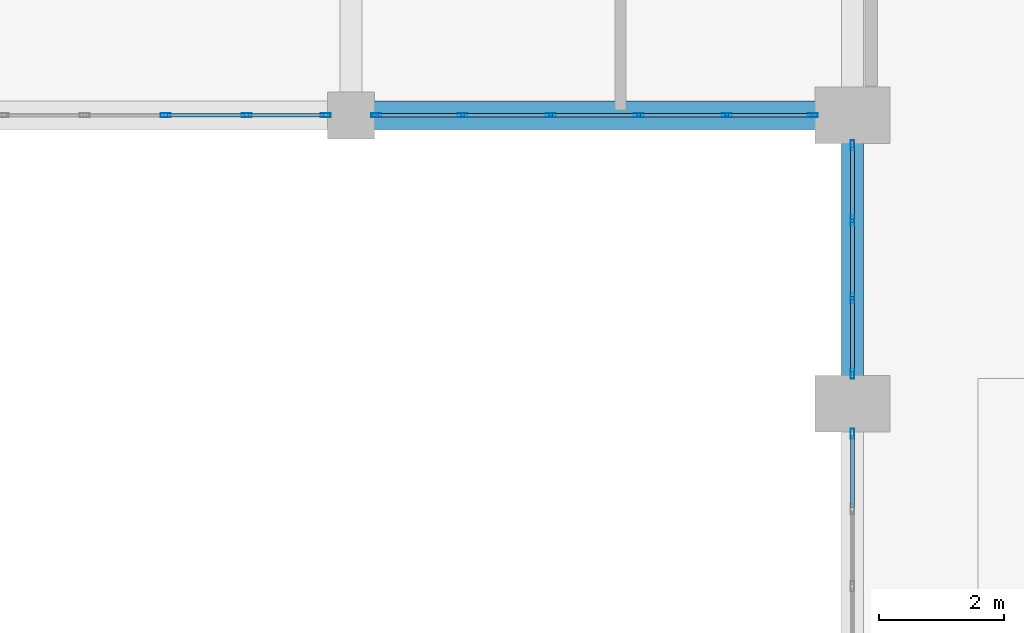
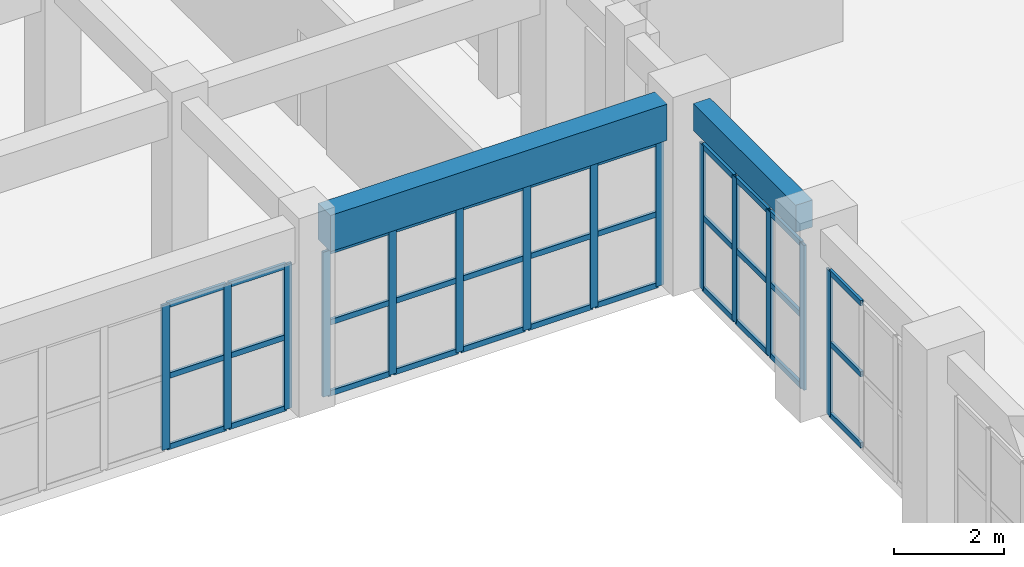
# One storey, part 32 of 116: 47 members, 2 beams, 4 elements without a shape of their own.
"""IFC4 building model written with IfcOpenShell, lengths in metres."""

from ifc_helpers import new_model, si_unit, direction, frame, origin, origin_2d, place, context, subcontext, project, spatial, rectangle, hollow_rectangle, extrude, material, layer, layer_set, material_profile, profile_set, type_object, element, aggregate, save


model = new_model("IFC4")

# Units and contexts
model_context = context("Model", 3, precision=1e-05, world=origin(), true_north=direction((0.0, 1.0)))
body_context = subcontext(model_context, "Body", "Model", "MODEL_VIEW")
ifc_project = project(units=[si_unit("LENGTHUNIT", "METRE"), si_unit("AREAUNIT", "SQUARE_METRE"), si_unit("VOLUMEUNIT", "CUBIC_METRE"), si_unit("PLANEANGLEUNIT", "RADIAN"), si_unit("MASSUNIT", "GRAM", prefix="KILO")], contexts=[model_context])

# Site, building, storey
site_placement = place(None, origin())
site = spatial("IfcSite", under=ifc_project, at=site_placement, CompositionType="ELEMENT")
building_placement = place(site_placement, origin())
building = spatial("IfcBuilding", under=site, at=building_placement, Name="Muzn Square Opera House", CompositionType="ELEMENT")
storey_placement = place(building_placement, frame((0.0, 0.0, 5.39990234375)))
storey = spatial("IfcBuildingStorey", under=building, at=storey_placement, Name="L01", CompositionType="ELEMENT", Elevation=5.39990234375)

# Curtain wall, member
ifc_material_1 = material(Name="Low-E laminated acoustic double glazing", Category="glass")
ifc_layer_1 = layer(ifc_material_1, 0.159912109375, Name="Low-E laminated acoustic double glazing", Category="glass")
ifc_layer_set_1 = layer_set([ifc_layer_1], Name="Low-E laminated acoustic double glazing")
curtain_wall_type_1 = type_object("IfcCurtainWallType", Name="Glazed Curtain Wall WestVaultCourt 3700x3200", PredefinedType="USERDEFINED", material=ifc_layer_set_1)
curtain_wall_1_placement = place(storey_placement, origin())
curtain_wall_1 = element("IfcCurtainWall", 1, at=curtain_wall_1_placement, inside=storey, type_object=curtain_wall_type_1, Name="Glazed Curtain Wall CW-L01-045", ObjectType="GLAZED CURTAIN WALL", PredefinedType="USERDEFINED")
ifc_material_2 = material(Name="Anodised bronze aluminium 6063-T6", Category="metal")
ifc_material_profile_1 = material_profile(ifc_material_2, hollow_rectangle(XDim=0.06005859375, YDim=0.159912109375, WallThickness=0.00390625, at=origin_2d()), Name="ALU 160x60x4", Category="metal")
ifc_profile_set_1 = profile_set([ifc_material_profile_1], Name="Anodised bronze aluminium 6063-T6")
member_type_1 = type_object("IfcMemberType", Name="Curtain Wall Mullion 160x60", PredefinedType="MULLION", material=ifc_profile_set_1)
member_1_placement = place(storey_placement, frame((43.0, 49.1201171875, 0.0), z_axis=(0.0, 0.0, 1.0), x_axis=(-1.0, 0.0, 0.0)))
member_1 = element("IfcMember", 2, at=member_1_placement, type_object=member_type_1, Name="CW-WVC-37x32 mullion 4", PredefinedType="MULLION", context=body_context, shape_type="SweptSolid", body=[
    extrude(hollow_rectangle(XDim=0.06005859375, YDim=0.159912109375, WallThickness=0.00390625, at=origin_2d()), origin(), (0.0, 0.0, 1.0), 3.2001953125),
])

# Curtain wall, members
curtain_wall_2_placement = place(storey_placement, origin())
curtain_wall_2 = element("IfcCurtainWall", 3, at=curtain_wall_2_placement, inside=storey, type_object=curtain_wall_type_1, Name="Glazed Curtain Wall CW-L01-047", ObjectType="GLAZED CURTAIN WALL", PredefinedType="USERDEFINED")
member_2_placement = place(storey_placement, frame((43.0, 50.080078125, 0.0), z_axis=(0.0, 0.0, 1.0), x_axis=(-1.0, 0.0, 0.0)))
member_2 = element("IfcMember", 4, at=member_2_placement, type_object=member_type_1, Name="CW-WVC-37x32 mullion 1", PredefinedType="MULLION", context=body_context, shape_type="SweptSolid", body=[
    extrude(hollow_rectangle(XDim=0.06005859375, YDim=0.159912109375, WallThickness=0.00390625, at=origin_2d()), origin(), (0.0, 0.0, 1.0), 3.2001953125),
])
member_3_placement = place(storey_placement, frame((43.0, 51.283447265625, 0.0), z_axis=(0.0, 0.0, 1.0), x_axis=(-1.0, 0.0, 0.0)))
member_3 = element("IfcMember", 5, at=member_3_placement, type_object=member_type_1, Name="CW-WVC-37x32 mullion 2", PredefinedType="MULLION", context=body_context, shape_type="SweptSolid", body=[
    extrude(hollow_rectangle(XDim=0.06005859375, YDim=0.159912109375, WallThickness=0.00390625, at=origin_2d()), origin(), (0.0, 0.0, 1.0), 3.2001953125),
])
member_4_placement = place(storey_placement, frame((43.0, 52.5166015625, 0.0), z_axis=(0.0, 0.0, 1.0), x_axis=(-1.0, 0.0, 0.0)))
member_4 = element("IfcMember", 6, at=member_4_placement, type_object=member_type_1, Name="CW-WVC-37x32 mullion 3", PredefinedType="MULLION", context=body_context, shape_type="SweptSolid", body=[
    extrude(hollow_rectangle(XDim=0.06005859375, YDim=0.159912109375, WallThickness=0.00390625, at=origin_2d()), origin(), (0.0, 0.0, 1.0), 3.2001953125),
])
member_5_placement = place(storey_placement, frame((43.0, 53.719970703125, 0.0), z_axis=(0.0, 0.0, 1.0), x_axis=(-1.0, 0.0, 0.0)))
member_5 = element("IfcMember", 7, at=member_5_placement, type_object=member_type_1, Name="CW-WVC-37x32 mullion 4", PredefinedType="MULLION", context=body_context, shape_type="SweptSolid", body=[
    extrude(hollow_rectangle(XDim=0.06005859375, YDim=0.159912109375, WallThickness=0.00390625, at=origin_2d()), origin(), (0.0, 0.0, 1.0), 3.2001953125),
])

ifc_layer_2 = layer(ifc_material_1, 0.159912109375, Name="Low-E laminated acoustic double glazing", Category="glass")
ifc_layer_set_2 = layer_set([ifc_layer_2], Name="Low-E laminated acoustic double glazing")
curtain_wall_type_2 = type_object("IfcCurtainWallType", Name="Glazed Curtain Wall WestCloisterN 7750x3200", PredefinedType="USERDEFINED", material=ifc_layer_set_2)
curtain_wall_3_placement = place(storey_placement, origin())
curtain_wall_3 = element("IfcCurtainWall", 8, at=curtain_wall_3_placement, inside=storey, type_object=curtain_wall_type_2, Name="Glazed Curtain Wall CW-L01-084", ObjectType="GLAZED CURTAIN WALL", PredefinedType="USERDEFINED")
member_6_placement = place(storey_placement, frame((32.041748046875, 54.199951171875, 0.0), z_axis=(0.0, 0.0, 1.0), x_axis=(0.0, 1.0, 0.0)))
member_6 = element("IfcMember", 9, at=member_6_placement, type_object=member_type_1, Name="CW-WCN-77x32 mullion 5", PredefinedType="MULLION", context=body_context, shape_type="SweptSolid", body=[
    extrude(hollow_rectangle(XDim=0.06005859375, YDim=0.159912109375, WallThickness=0.00390625, at=origin_2d()), origin(), (0.0, 0.0, 1.0), 3.2001953125),
])
member_7_placement = place(storey_placement, frame((33.333251953125, 54.199951171875, 0.0), z_axis=(0.0, 0.0, 1.0), x_axis=(0.0, 1.0, 0.0)))
member_7 = element("IfcMember", 10, at=member_7_placement, type_object=member_type_1, Name="CW-WCN-77x32 mullion 6", PredefinedType="MULLION", context=body_context, shape_type="SweptSolid", body=[
    extrude(hollow_rectangle(XDim=0.06005859375, YDim=0.159912109375, WallThickness=0.00390625, at=origin_2d()), origin(), (0.0, 0.0, 1.0), 3.2001953125),
])
member_8_placement = place(storey_placement, frame((34.594970703125, 54.199951171875, 0.0), z_axis=(0.0, 0.0, 1.0), x_axis=(0.0, 1.0, 0.0)))
member_8 = element("IfcMember", 11, at=member_8_placement, type_object=member_type_1, Name="CW-WCN-77x32 mullion 7", PredefinedType="MULLION", context=body_context, shape_type="SweptSolid", body=[
    extrude(hollow_rectangle(XDim=0.06005859375, YDim=0.159912109375, WallThickness=0.00390625, at=origin_2d()), origin(), (0.0, 0.0, 1.0), 3.2001953125),
])

ifc_layer_3 = layer(ifc_material_1, 0.159912109375, Name="Low-E laminated acoustic double glazing", Category="glass")
ifc_layer_set_3 = layer_set([ifc_layer_3], Name="Low-E laminated acoustic double glazing")
curtain_wall_type_3 = type_object("IfcCurtainWallType", Name="Glazed Curtain Wall WestCloisterN 7025x3200", PredefinedType="USERDEFINED", material=ifc_layer_set_3)
curtain_wall_4_placement = place(storey_placement, origin())
curtain_wall_4 = element("IfcCurtainWall", 12, at=curtain_wall_4_placement, inside=storey, type_object=curtain_wall_type_3, Name="Glazed Curtain Wall CW-L01-086", ObjectType="GLAZED CURTAIN WALL", PredefinedType="USERDEFINED")
member_9_placement = place(storey_placement, frame((35.405029296875, 54.199951171875, 0.0), z_axis=(0.0, 0.0, 1.0), x_axis=(0.0, 1.0, 0.0)))
member_9 = element("IfcMember", 13, at=member_9_placement, type_object=member_type_1, Name="CW-WCN-70x32 mullion 1", PredefinedType="MULLION", context=body_context, shape_type="SweptSolid", body=[
    extrude(hollow_rectangle(XDim=0.06005859375, YDim=0.159912109375, WallThickness=0.00390625, at=origin_2d()), origin(), (0.0, 0.0, 1.0), 3.2001953125),
])
member_10_placement = place(storey_placement, frame((36.780029296875, 54.199951171875, 0.0), z_axis=(0.0, 0.0, 1.0), x_axis=(0.0, 1.0, 0.0)))
member_10 = element("IfcMember", 14, at=member_10_placement, type_object=member_type_1, Name="CW-WCN-70x32 mullion 2", PredefinedType="MULLION", context=body_context, shape_type="SweptSolid", body=[
    extrude(hollow_rectangle(XDim=0.06005859375, YDim=0.159912109375, WallThickness=0.00390625, at=origin_2d()), origin(), (0.0, 0.0, 1.0), 3.2001953125),
])
member_11_placement = place(storey_placement, frame((38.18505859375, 54.199951171875, 0.0), z_axis=(0.0, 0.0, 1.0), x_axis=(0.0, 1.0, 0.0)))
member_11 = element("IfcMember", 15, at=member_11_placement, type_object=member_type_1, Name="CW-WCN-70x32 mullion 3", PredefinedType="MULLION", context=body_context, shape_type="SweptSolid", body=[
    extrude(hollow_rectangle(XDim=0.06005859375, YDim=0.159912109375, WallThickness=0.00390625, at=origin_2d()), origin(), (0.0, 0.0, 1.0), 3.2001953125),
])
member_12_placement = place(storey_placement, frame((39.590087890625, 54.199951171875, 0.0), z_axis=(0.0, 0.0, 1.0), x_axis=(0.0, 1.0, 0.0)))
member_12 = element("IfcMember", 16, at=member_12_placement, type_object=member_type_1, Name="CW-WCN-70x32 mullion 4", PredefinedType="MULLION", context=body_context, shape_type="SweptSolid", body=[
    extrude(hollow_rectangle(XDim=0.06005859375, YDim=0.159912109375, WallThickness=0.00390625, at=origin_2d()), origin(), (0.0, 0.0, 1.0), 3.2001953125),
])
member_13_placement = place(storey_placement, frame((40.9951171875, 54.199951171875, 0.0), z_axis=(0.0, 0.0, 1.0), x_axis=(0.0, 1.0, 0.0)))
member_13 = element("IfcMember", 17, at=member_13_placement, type_object=member_type_1, Name="CW-WCN-70x32 mullion 5", PredefinedType="MULLION", context=body_context, shape_type="SweptSolid", body=[
    extrude(hollow_rectangle(XDim=0.06005859375, YDim=0.159912109375, WallThickness=0.00390625, at=origin_2d()), origin(), (0.0, 0.0, 1.0), 3.2001953125),
])
member_14_placement = place(storey_placement, frame((42.3701171875, 54.199951171875, 0.0), z_axis=(0.0, 0.0, 1.0), x_axis=(0.0, 1.0, 0.0)))
member_14 = element("IfcMember", 18, at=member_14_placement, type_object=member_type_1, Name="CW-WCN-70x32 mullion 6", PredefinedType="MULLION", context=body_context, shape_type="SweptSolid", body=[
    extrude(hollow_rectangle(XDim=0.06005859375, YDim=0.159912109375, WallThickness=0.00390625, at=origin_2d()), origin(), (0.0, 0.0, 1.0), 3.2001953125),
])

# Member
ifc_material_profile_2 = material_profile(ifc_material_2, hollow_rectangle(XDim=0.06005859375, YDim=0.1201171875, WallThickness=0.00390625, at=origin_2d()), Name="ALU 120x60x4", Category="metal")
ifc_profile_set_2 = profile_set([ifc_material_profile_2], Name="Anodised bronze aluminium 6063-T6")
member_type_2 = type_object("IfcMemberType", Name="Curtain Wall Transom 120x60", PredefinedType="USERDEFINED", material=ifc_profile_set_2)
member_15_placement = place(storey_placement, frame((43.0, 47.94677734375, 0.030029296875), z_axis=(0.0, 1.0, 0.0), x_axis=(-1.0, 0.0, 0.0)))
member_15 = element("IfcMember", 19, at=member_15_placement, type_object=member_type_2, Name="CW-WVC-37x32 transom 3.1", ObjectType="TRANSOM", PredefinedType="USERDEFINED", context=body_context, shape_type="SweptSolid", body=[
    extrude(hollow_rectangle(XDim=0.06005859375, YDim=0.1201171875, WallThickness=0.00390625, at=origin_2d()), origin(), (0.0, 0.0, 1.0), 1.143310546875),
])

member_16_placement = place(storey_placement, frame((43.0, 47.94677734375, 1.60009765625), z_axis=(0.0, 1.0, 0.0), x_axis=(-1.0, 0.0, 0.0)))
member_16 = element("IfcMember", 20, at=member_16_placement, type_object=member_type_2, Name="CW-WVC-37x32 transom 3.2", ObjectType="TRANSOM", PredefinedType="USERDEFINED", context=body_context, shape_type="SweptSolid", body=[
    extrude(hollow_rectangle(XDim=0.06005859375, YDim=0.1201171875, WallThickness=0.00390625, at=origin_2d()), origin(), (0.0, 0.0, 1.0), 1.143310546875),
])

member_17_placement = place(storey_placement, frame((43.0, 47.94677734375, 3.170166015625), z_axis=(0.0, 1.0, 0.0), x_axis=(-1.0, 0.0, 0.0)))
member_17 = element("IfcMember", 21, at=member_17_placement, type_object=member_type_2, Name="CW-WVC-37x32 transom 3.3", ObjectType="TRANSOM", PredefinedType="USERDEFINED", context=body_context, shape_type="SweptSolid", body=[
    extrude(hollow_rectangle(XDim=0.06005859375, YDim=0.1201171875, WallThickness=0.00390625, at=origin_2d()), origin(), (0.0, 0.0, 1.0), 1.143310546875),
])

aggregate(curtain_wall_1, [member_1, member_15, member_16, member_17])

member_18_placement = place(storey_placement, frame((43.0, 50.110107421875, 0.030029296875), z_axis=(0.0, 1.0, 0.0), x_axis=(-1.0, 0.0, 0.0)))
member_18 = element("IfcMember", 22, at=member_18_placement, type_object=member_type_2, Name="CW-WVC-37x32 transom 1.1", ObjectType="TRANSOM", PredefinedType="USERDEFINED", context=body_context, shape_type="SweptSolid", body=[
    extrude(hollow_rectangle(XDim=0.06005859375, YDim=0.1201171875, WallThickness=0.00390625, at=origin_2d()), origin(), (0.0, 0.0, 1.0), 1.143310546875),
])

member_19_placement = place(storey_placement, frame((43.0, 50.110107421875, 1.60009765625), z_axis=(0.0, 1.0, 0.0), x_axis=(-1.0, 0.0, 0.0)))
member_19 = element("IfcMember", 23, at=member_19_placement, type_object=member_type_2, Name="CW-WVC-37x32 transom 1.2", ObjectType="TRANSOM", PredefinedType="USERDEFINED", context=body_context, shape_type="SweptSolid", body=[
    extrude(hollow_rectangle(XDim=0.06005859375, YDim=0.1201171875, WallThickness=0.00390625, at=origin_2d()), origin(), (0.0, 0.0, 1.0), 1.143310546875),
])

member_20_placement = place(storey_placement, frame((43.0, 50.110107421875, 3.170166015625), z_axis=(0.0, 1.0, 0.0), x_axis=(-1.0, 0.0, 0.0)))
member_20 = element("IfcMember", 24, at=member_20_placement, type_object=member_type_2, Name="CW-WVC-37x32 transom 1.3", ObjectType="TRANSOM", PredefinedType="USERDEFINED", context=body_context, shape_type="SweptSolid", body=[
    extrude(hollow_rectangle(XDim=0.06005859375, YDim=0.1201171875, WallThickness=0.00390625, at=origin_2d()), origin(), (0.0, 0.0, 1.0), 1.143310546875),
])

member_21_placement = place(storey_placement, frame((43.0, 51.313232421875, 0.030029296875), z_axis=(0.0, 1.0, 0.0), x_axis=(-1.0, 0.0, 0.0)))
member_21 = element("IfcMember", 25, at=member_21_placement, type_object=member_type_2, Name="CW-WVC-37x32 transom 2.1", ObjectType="TRANSOM", PredefinedType="USERDEFINED", context=body_context, shape_type="SweptSolid", body=[
    extrude(hollow_rectangle(XDim=0.06005859375, YDim=0.1201171875, WallThickness=0.00390625, at=origin_2d()), origin(), (0.0, 0.0, 1.0), 1.17333984375),
])

member_22_placement = place(storey_placement, frame((43.0, 51.313232421875, 1.60009765625), z_axis=(0.0, 1.0, 0.0), x_axis=(-1.0, 0.0, 0.0)))
member_22 = element("IfcMember", 26, at=member_22_placement, type_object=member_type_2, Name="CW-WVC-37x32 transom 2.2", ObjectType="TRANSOM", PredefinedType="USERDEFINED", context=body_context, shape_type="SweptSolid", body=[
    extrude(hollow_rectangle(XDim=0.06005859375, YDim=0.1201171875, WallThickness=0.00390625, at=origin_2d()), origin(), (0.0, 0.0, 1.0), 1.17333984375),
])

member_23_placement = place(storey_placement, frame((43.0, 51.313232421875, 3.170166015625), z_axis=(0.0, 1.0, 0.0), x_axis=(-1.0, 0.0, 0.0)))
member_23 = element("IfcMember", 27, at=member_23_placement, type_object=member_type_2, Name="CW-WVC-37x32 transom 2.3", ObjectType="TRANSOM", PredefinedType="USERDEFINED", context=body_context, shape_type="SweptSolid", body=[
    extrude(hollow_rectangle(XDim=0.06005859375, YDim=0.1201171875, WallThickness=0.00390625, at=origin_2d()), origin(), (0.0, 0.0, 1.0), 1.17333984375),
])

member_24_placement = place(storey_placement, frame((43.0, 52.546630859375, 0.030029296875), z_axis=(0.0, 1.0, 0.0), x_axis=(-1.0, 0.0, 0.0)))
member_24 = element("IfcMember", 28, at=member_24_placement, type_object=member_type_2, Name="CW-WVC-37x32 transom 3.1", ObjectType="TRANSOM", PredefinedType="USERDEFINED", context=body_context, shape_type="SweptSolid", body=[
    extrude(hollow_rectangle(XDim=0.06005859375, YDim=0.1201171875, WallThickness=0.00390625, at=origin_2d()), origin(), (0.0, 0.0, 1.0), 1.143310546875),
])

member_25_placement = place(storey_placement, frame((43.0, 52.546630859375, 1.60009765625), z_axis=(0.0, 1.0, 0.0), x_axis=(-1.0, 0.0, 0.0)))
member_25 = element("IfcMember", 29, at=member_25_placement, type_object=member_type_2, Name="CW-WVC-37x32 transom 3.2", ObjectType="TRANSOM", PredefinedType="USERDEFINED", context=body_context, shape_type="SweptSolid", body=[
    extrude(hollow_rectangle(XDim=0.06005859375, YDim=0.1201171875, WallThickness=0.00390625, at=origin_2d()), origin(), (0.0, 0.0, 1.0), 1.143310546875),
])

member_26_placement = place(storey_placement, frame((43.0, 52.546630859375, 3.170166015625), z_axis=(0.0, 1.0, 0.0), x_axis=(-1.0, 0.0, 0.0)))
member_26 = element("IfcMember", 30, at=member_26_placement, type_object=member_type_2, Name="CW-WVC-37x32 transom 3.3", ObjectType="TRANSOM", PredefinedType="USERDEFINED", context=body_context, shape_type="SweptSolid", body=[
    extrude(hollow_rectangle(XDim=0.06005859375, YDim=0.1201171875, WallThickness=0.00390625, at=origin_2d()), origin(), (0.0, 0.0, 1.0), 1.143310546875),
])

aggregate(curtain_wall_2, [member_2, member_3, member_4, member_5, member_18, member_19, member_20, member_21, member_22, member_23, member_24, member_25, member_26])

member_27_placement = place(storey_placement, frame((32.07177734375, 54.199951171875, 0.030029296875), z_axis=(1.0, 0.0, 0.0), x_axis=(0.0, 1.0, 0.0)))
member_27 = element("IfcMember", 31, at=member_27_placement, type_object=member_type_2, Name="CW-WCN-77x32 transom 5.1", ObjectType="TRANSOM", PredefinedType="USERDEFINED", context=body_context, shape_type="SweptSolid", body=[
    extrude(hollow_rectangle(XDim=0.06005859375, YDim=0.1201171875, WallThickness=0.00390625, at=origin_2d()), origin(), (0.0, 0.0, 1.0), 1.2314453125),
])

member_28_placement = place(storey_placement, frame((32.07177734375, 54.199951171875, 1.60009765625), z_axis=(1.0, 0.0, 0.0), x_axis=(0.0, 1.0, 0.0)))
member_28 = element("IfcMember", 32, at=member_28_placement, type_object=member_type_2, Name="CW-WCN-77x32 transom 5.2", ObjectType="TRANSOM", PredefinedType="USERDEFINED", context=body_context, shape_type="SweptSolid", body=[
    extrude(hollow_rectangle(XDim=0.06005859375, YDim=0.1201171875, WallThickness=0.00390625, at=origin_2d()), origin(), (0.0, 0.0, 1.0), 1.2314453125),
])

member_29_placement = place(storey_placement, frame((32.07177734375, 54.199951171875, 3.170166015625), z_axis=(1.0, 0.0, 0.0), x_axis=(0.0, 1.0, 0.0)))
member_29 = element("IfcMember", 33, at=member_29_placement, type_object=member_type_2, Name="CW-WCN-77x32 transom 5.3", ObjectType="TRANSOM", PredefinedType="USERDEFINED", context=body_context, shape_type="SweptSolid", body=[
    extrude(hollow_rectangle(XDim=0.06005859375, YDim=0.1201171875, WallThickness=0.00390625, at=origin_2d()), origin(), (0.0, 0.0, 1.0), 1.2314453125),
])

member_30_placement = place(storey_placement, frame((33.36328125, 54.199951171875, 0.030029296875), z_axis=(1.0, 0.0, 0.0), x_axis=(0.0, 1.0, 0.0)))
member_30 = element("IfcMember", 34, at=member_30_placement, type_object=member_type_2, Name="CW-WCN-77x32 transom 6.1", ObjectType="TRANSOM", PredefinedType="USERDEFINED", context=body_context, shape_type="SweptSolid", body=[
    extrude(hollow_rectangle(XDim=0.06005859375, YDim=0.1201171875, WallThickness=0.00390625, at=origin_2d()), origin(), (0.0, 0.0, 1.0), 1.20166015625),
])

member_31_placement = place(storey_placement, frame((33.36328125, 54.199951171875, 1.60009765625), z_axis=(1.0, 0.0, 0.0), x_axis=(0.0, 1.0, 0.0)))
member_31 = element("IfcMember", 35, at=member_31_placement, type_object=member_type_2, Name="CW-WCN-77x32 transom 6.2", ObjectType="TRANSOM", PredefinedType="USERDEFINED", context=body_context, shape_type="SweptSolid", body=[
    extrude(hollow_rectangle(XDim=0.06005859375, YDim=0.1201171875, WallThickness=0.00390625, at=origin_2d()), origin(), (0.0, 0.0, 1.0), 1.20166015625),
])

member_32_placement = place(storey_placement, frame((33.36328125, 54.199951171875, 3.170166015625), z_axis=(1.0, 0.0, 0.0), x_axis=(0.0, 1.0, 0.0)))
member_32 = element("IfcMember", 36, at=member_32_placement, type_object=member_type_2, Name="CW-WCN-77x32 transom 6.3", ObjectType="TRANSOM", PredefinedType="USERDEFINED", context=body_context, shape_type="SweptSolid", body=[
    extrude(hollow_rectangle(XDim=0.06005859375, YDim=0.1201171875, WallThickness=0.00390625, at=origin_2d()), origin(), (0.0, 0.0, 1.0), 1.20166015625),
])

aggregate(curtain_wall_3, [member_6, member_7, member_8, member_27, member_28, member_29, member_30, member_31, member_32])

member_33_placement = place(storey_placement, frame((35.43505859375, 54.199951171875, 0.030029296875), z_axis=(1.0, 0.0, 0.0), x_axis=(0.0, 1.0, 0.0)))
member_33 = element("IfcMember", 37, at=member_33_placement, type_object=member_type_2, Name="CW-WCN-70x32 transom 1.1", ObjectType="TRANSOM", PredefinedType="USERDEFINED", context=body_context, shape_type="SweptSolid", body=[
    extrude(hollow_rectangle(XDim=0.06005859375, YDim=0.1201171875, WallThickness=0.00390625, at=origin_2d()), origin(), (0.0, 0.0, 1.0), 1.31494140625),
])

member_34_placement = place(storey_placement, frame((35.43505859375, 54.199951171875, 1.60009765625), z_axis=(1.0, 0.0, 0.0), x_axis=(0.0, 1.0, 0.0)))
member_34 = element("IfcMember", 38, at=member_34_placement, type_object=member_type_2, Name="CW-WCN-70x32 transom 1.2", ObjectType="TRANSOM", PredefinedType="USERDEFINED", context=body_context, shape_type="SweptSolid", body=[
    extrude(hollow_rectangle(XDim=0.06005859375, YDim=0.1201171875, WallThickness=0.00390625, at=origin_2d()), origin(), (0.0, 0.0, 1.0), 1.31494140625),
])

member_35_placement = place(storey_placement, frame((35.43505859375, 54.199951171875, 3.170166015625), z_axis=(1.0, 0.0, 0.0), x_axis=(0.0, 1.0, 0.0)))
member_35 = element("IfcMember", 39, at=member_35_placement, type_object=member_type_2, Name="CW-WCN-70x32 transom 1.3", ObjectType="TRANSOM", PredefinedType="USERDEFINED", context=body_context, shape_type="SweptSolid", body=[
    extrude(hollow_rectangle(XDim=0.06005859375, YDim=0.1201171875, WallThickness=0.00390625, at=origin_2d()), origin(), (0.0, 0.0, 1.0), 1.31494140625),
])

member_36_placement = place(storey_placement, frame((36.81005859375, 54.199951171875, 0.030029296875), z_axis=(1.0, 0.0, 0.0), x_axis=(0.0, 1.0, 0.0)))
member_36 = element("IfcMember", 40, at=member_36_placement, type_object=member_type_2, Name="CW-WCN-70x32 transom 2.1", ObjectType="TRANSOM", PredefinedType="USERDEFINED", context=body_context, shape_type="SweptSolid", body=[
    extrude(hollow_rectangle(XDim=0.06005859375, YDim=0.1201171875, WallThickness=0.00390625, at=origin_2d()), origin(), (0.0, 0.0, 1.0), 1.344970703125),
])

member_37_placement = place(storey_placement, frame((36.81005859375, 54.199951171875, 1.60009765625), z_axis=(1.0, 0.0, 0.0), x_axis=(0.0, 1.0, 0.0)))
member_37 = element("IfcMember", 41, at=member_37_placement, type_object=member_type_2, Name="CW-WCN-70x32 transom 2.2", ObjectType="TRANSOM", PredefinedType="USERDEFINED", context=body_context, shape_type="SweptSolid", body=[
    extrude(hollow_rectangle(XDim=0.06005859375, YDim=0.1201171875, WallThickness=0.00390625, at=origin_2d()), origin(), (0.0, 0.0, 1.0), 1.344970703125),
])

member_38_placement = place(storey_placement, frame((36.81005859375, 54.199951171875, 3.170166015625), z_axis=(1.0, 0.0, 0.0), x_axis=(0.0, 1.0, 0.0)))
member_38 = element("IfcMember", 42, at=member_38_placement, type_object=member_type_2, Name="CW-WCN-70x32 transom 2.3", ObjectType="TRANSOM", PredefinedType="USERDEFINED", context=body_context, shape_type="SweptSolid", body=[
    extrude(hollow_rectangle(XDim=0.06005859375, YDim=0.1201171875, WallThickness=0.00390625, at=origin_2d()), origin(), (0.0, 0.0, 1.0), 1.344970703125),
])

member_39_placement = place(storey_placement, frame((38.215087890625, 54.199951171875, 0.030029296875), z_axis=(1.0, 0.0, 0.0), x_axis=(0.0, 1.0, 0.0)))
member_39 = element("IfcMember", 43, at=member_39_placement, type_object=member_type_2, Name="CW-WCN-70x32 transom 3.1", ObjectType="TRANSOM", PredefinedType="USERDEFINED", context=body_context, shape_type="SweptSolid", body=[
    extrude(hollow_rectangle(XDim=0.06005859375, YDim=0.1201171875, WallThickness=0.00390625, at=origin_2d()), origin(), (0.0, 0.0, 1.0), 1.344970703125),
])

member_40_placement = place(storey_placement, frame((38.215087890625, 54.199951171875, 1.60009765625), z_axis=(1.0, 0.0, 0.0), x_axis=(0.0, 1.0, 0.0)))
member_40 = element("IfcMember", 44, at=member_40_placement, type_object=member_type_2, Name="CW-WCN-70x32 transom 3.2", ObjectType="TRANSOM", PredefinedType="USERDEFINED", context=body_context, shape_type="SweptSolid", body=[
    extrude(hollow_rectangle(XDim=0.06005859375, YDim=0.1201171875, WallThickness=0.00390625, at=origin_2d()), origin(), (0.0, 0.0, 1.0), 1.344970703125),
])

member_41_placement = place(storey_placement, frame((38.215087890625, 54.199951171875, 3.170166015625), z_axis=(1.0, 0.0, 0.0), x_axis=(0.0, 1.0, 0.0)))
member_41 = element("IfcMember", 45, at=member_41_placement, type_object=member_type_2, Name="CW-WCN-70x32 transom 3.3", ObjectType="TRANSOM", PredefinedType="USERDEFINED", context=body_context, shape_type="SweptSolid", body=[
    extrude(hollow_rectangle(XDim=0.06005859375, YDim=0.1201171875, WallThickness=0.00390625, at=origin_2d()), origin(), (0.0, 0.0, 1.0), 1.344970703125),
])

member_42_placement = place(storey_placement, frame((39.6201171875, 54.199951171875, 0.030029296875), z_axis=(1.0, 0.0, 0.0), x_axis=(0.0, 1.0, 0.0)))
member_42 = element("IfcMember", 46, at=member_42_placement, type_object=member_type_2, Name="CW-WCN-70x32 transom 4.1", ObjectType="TRANSOM", PredefinedType="USERDEFINED", context=body_context, shape_type="SweptSolid", body=[
    extrude(hollow_rectangle(XDim=0.06005859375, YDim=0.1201171875, WallThickness=0.00390625, at=origin_2d()), origin(), (0.0, 0.0, 1.0), 1.344970703125),
])

member_43_placement = place(storey_placement, frame((39.6201171875, 54.199951171875, 1.60009765625), z_axis=(1.0, 0.0, 0.0), x_axis=(0.0, 1.0, 0.0)))
member_43 = element("IfcMember", 47, at=member_43_placement, type_object=member_type_2, Name="CW-WCN-70x32 transom 4.2", ObjectType="TRANSOM", PredefinedType="USERDEFINED", context=body_context, shape_type="SweptSolid", body=[
    extrude(hollow_rectangle(XDim=0.06005859375, YDim=0.1201171875, WallThickness=0.00390625, at=origin_2d()), origin(), (0.0, 0.0, 1.0), 1.344970703125),
])

member_44_placement = place(storey_placement, frame((39.6201171875, 54.199951171875, 3.170166015625), z_axis=(1.0, 0.0, 0.0), x_axis=(0.0, 1.0, 0.0)))
member_44 = element("IfcMember", 48, at=member_44_placement, type_object=member_type_2, Name="CW-WCN-70x32 transom 4.3", ObjectType="TRANSOM", PredefinedType="USERDEFINED", context=body_context, shape_type="SweptSolid", body=[
    extrude(hollow_rectangle(XDim=0.06005859375, YDim=0.1201171875, WallThickness=0.00390625, at=origin_2d()), origin(), (0.0, 0.0, 1.0), 1.344970703125),
])

member_45_placement = place(storey_placement, frame((41.02490234375, 54.199951171875, 0.030029296875), z_axis=(1.0, 0.0, 0.0), x_axis=(0.0, 1.0, 0.0)))
member_45 = element("IfcMember", 49, at=member_45_placement, type_object=member_type_2, Name="CW-WCN-70x32 transom 5.1", ObjectType="TRANSOM", PredefinedType="USERDEFINED", context=body_context, shape_type="SweptSolid", body=[
    extrude(hollow_rectangle(XDim=0.06005859375, YDim=0.1201171875, WallThickness=0.00390625, at=origin_2d()), origin(), (0.0, 0.0, 1.0), 1.315185546875),
])

member_46_placement = place(storey_placement, frame((41.02490234375, 54.199951171875, 1.60009765625), z_axis=(1.0, 0.0, 0.0), x_axis=(0.0, 1.0, 0.0)))
member_46 = element("IfcMember", 50, at=member_46_placement, type_object=member_type_2, Name="CW-WCN-70x32 transom 5.2", ObjectType="TRANSOM", PredefinedType="USERDEFINED", context=body_context, shape_type="SweptSolid", body=[
    extrude(hollow_rectangle(XDim=0.06005859375, YDim=0.1201171875, WallThickness=0.00390625, at=origin_2d()), origin(), (0.0, 0.0, 1.0), 1.315185546875),
])

member_47_placement = place(storey_placement, frame((41.02490234375, 54.199951171875, 3.170166015625), z_axis=(1.0, 0.0, 0.0), x_axis=(0.0, 1.0, 0.0)))
member_47 = element("IfcMember", 51, at=member_47_placement, type_object=member_type_2, Name="CW-WCN-70x32 transom 5.3", ObjectType="TRANSOM", PredefinedType="USERDEFINED", context=body_context, shape_type="SweptSolid", body=[
    extrude(hollow_rectangle(XDim=0.06005859375, YDim=0.1201171875, WallThickness=0.00390625, at=origin_2d()), origin(), (0.0, 0.0, 1.0), 1.315185546875),
])

aggregate(curtain_wall_4, [member_9, member_10, member_11, member_12, member_13, member_14, member_33, member_34, member_35, member_36, member_37, member_38, member_39, member_40, member_41, member_42, member_43, member_44, member_45, member_46, member_47])

# Beams
ifc_material_3 = material(Name="Concrete C40/50", Category="concrete")
ifc_material_profile_3 = material_profile(ifc_material_3, rectangle(XDim=0.35009765625, YDim=0.60009765625, at=origin_2d()), Name="RCB 350x600", Category="concrete")
ifc_profile_set_3 = profile_set([ifc_material_profile_3], Name="Concrete C40/50")
beam_type_1 = type_object("IfcBeamType", Name="Primary Girder 350x600", PredefinedType="BEAM", material=ifc_profile_set_3)
beam_1_placement = place(storey_placement, frame((43.0, 50.0419921875, 3.820068359375), z_axis=(0.0, 1.0, 0.0), x_axis=(-1.0, 0.0, 0.0)))
element("IfcBeam", 52, at=beam_1_placement, inside=storey, type_object=beam_type_1, Name="Primary Girder BM-L01-BM-PG600-430_500_430_538-1605", PredefinedType="BEAM", context=body_context, shape_type="SweptSolid", body=[
    extrude(rectangle(XDim=0.35009765625, YDim=0.60009765625, at=origin_2d()), origin(), (0.0, 0.0, 1.0), 3.716064453125),
])
ifc_material_profile_4 = material_profile(ifc_material_3, rectangle(XDim=0.449951171875, YDim=0.800048828125, at=origin_2d()), Name="RCB 450x800", Category="concrete")
ifc_profile_set_4 = profile_set([ifc_material_profile_4], Name="Concrete C40/50")
beam_type_2 = type_object("IfcBeamType", Name="Primary Girder 450x800", PredefinedType="BEAM", material=ifc_profile_set_4)
beam_2_placement = place(storey_placement, frame((35.366943359375, 54.199951171875, 3.72021484375), z_axis=(1.0, 0.0, 0.0), x_axis=(0.0, 1.0, 0.0)))
element("IfcBeam", 53, at=beam_2_placement, inside=storey, type_object=beam_type_2, Name="Primary Girder BM-L01-BM-PG800-354_542_424_542-1373", PredefinedType="BEAM", context=body_context, shape_type="SweptSolid", body=[
    extrude(rectangle(XDim=0.449951171875, YDim=0.800048828125, at=origin_2d()), origin(), (0.0, 0.0, 1.0), 7.041015625),
])

save(model, "model.ifc")
